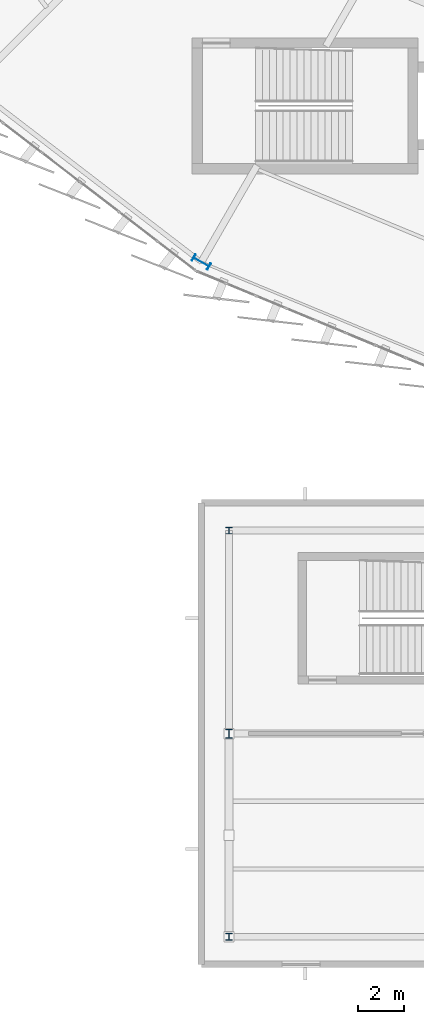
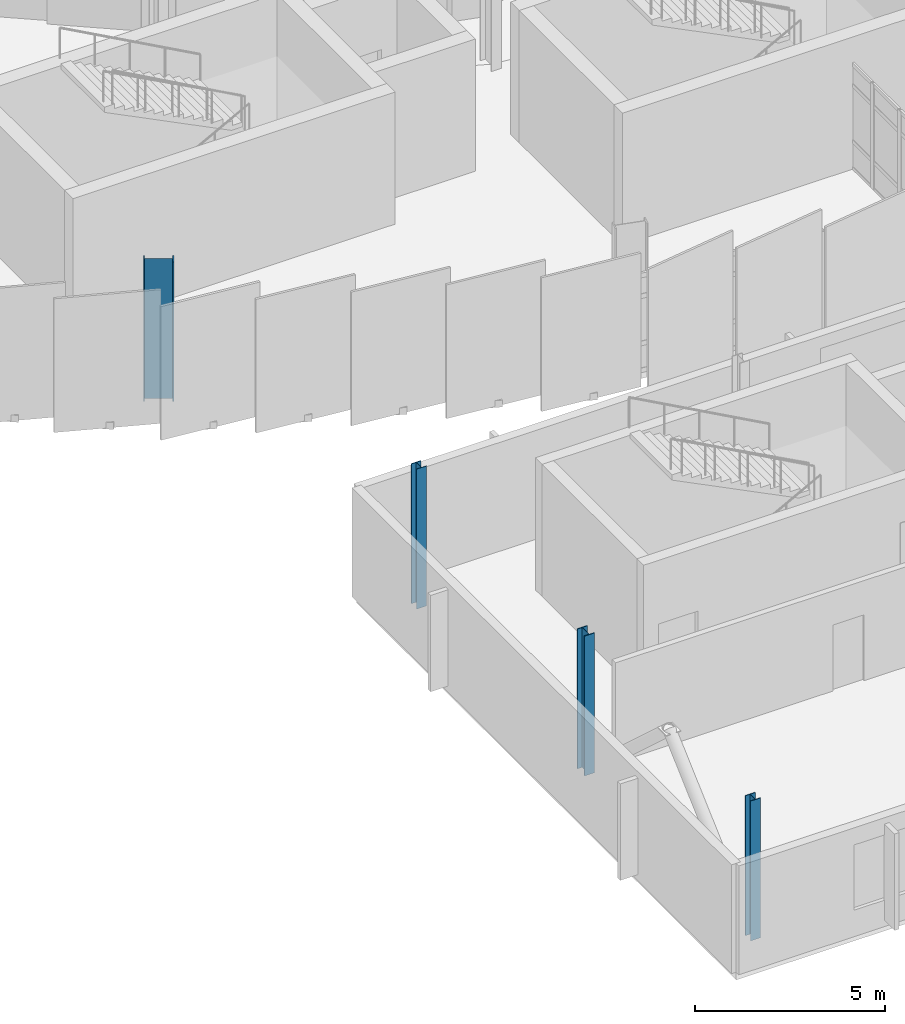
# One storey, part 1 of 125: 4 columns.
"""IFC4 building model written with IfcOpenShell, lengths in metres."""

from ifc_helpers import new_model, si_unit, direction, frame, origin, origin_2d, place, context, subcontext, project, spatial, i_section, extrude, material, material_profile, profile_set, type_object, element, save


model = new_model("IFC4")

# Units and contexts
model_context = context("Model", 3, precision=1e-05, world=origin(), true_north=direction((0.0, 1.0)))
body_context = subcontext(model_context, "Body", "Model", "MODEL_VIEW")
ifc_project = project(units=[si_unit("LENGTHUNIT", "METRE"), si_unit("AREAUNIT", "SQUARE_METRE"), si_unit("VOLUMEUNIT", "CUBIC_METRE"), si_unit("PLANEANGLEUNIT", "RADIAN"), si_unit("MASSUNIT", "GRAM", prefix="KILO")], contexts=[model_context])

# Site, building, storey
site_placement = place(None, origin())
site = spatial("IfcSite", under=ifc_project, at=site_placement, CompositionType="ELEMENT")
building_placement = place(site_placement, origin())
building = spatial("IfcBuilding", under=site, at=building_placement, Name="Sohan Crest Arena", CompositionType="ELEMENT")
storey_placement = place(building_placement, frame((0.0, 0.0, 9.0)))
storey = spatial("IfcBuildingStorey", under=building, at=storey_placement, Name="L02", CompositionType="ELEMENT", Elevation=9.0)

# Columns
ifc_material = material(Name="Steel S355", Category="steel")
ifc_material_profile_1 = material_profile(ifc_material, i_section(OverallWidth=0.300048828125, OverallDepth=0.300048828125, WebThickness=0.010986328125, FlangeThickness=0.01904296875, at=origin_2d()), Name="HEB 300")
ifc_profile_set_1 = profile_set([ifc_material_profile_1], Name="Steel S355")
column_type_1 = type_object("IfcColumnType", Name="STR-COL-C17", PredefinedType="COLUMN", material=ifc_profile_set_1)
for number, where, z_axis, x_axis, name in (
    (1, (75.199951171875, 7.199951171875, 0.0), (0.0, 0.0, 1.0), (1.0, 0.0, 0.0), "Structural column COL-V5C-01-1-L02"),
    (2, (75.199951171875, 24.800048828125, 0.0), (0.0, 0.0, 1.0), (1.0, 0.0, 0.0), "Structural column COL-V5C-01-3-L02"),
):
    element("IfcColumn", number, at=place(storey_placement, frame(where, z_axis=z_axis, x_axis=x_axis)), inside=storey, type_object=column_type_1, Name=name, PredefinedType="COLUMN", context=body_context, shape_type="SweptSolid", body=[
        extrude(i_section(OverallWidth=0.300048828125, OverallDepth=0.300048828125, WebThickness=0.010986328125, FlangeThickness=0.01904296875, at=origin_2d()), origin(), (0.0, 0.0, 1.0), 4.5),
    ])
ifc_material_profile_2 = material_profile(ifc_material, i_section(OverallWidth=0.300048828125, OverallDepth=0.39990234375, WebThickness=0.013427734375, FlangeThickness=0.02392578125, at=origin_2d()), Name="HEB 400")
ifc_profile_set_2 = profile_set([ifc_material_profile_2], Name="Steel S355")
column_type_2 = type_object("IfcColumnType", Name="STR-COL-C18", PredefinedType="COLUMN", material=ifc_profile_set_2)
column_1_placement = place(storey_placement, frame((75.199951171875, 16.0, 0.0), z_axis=(0.0, 0.0, 1.0), x_axis=(1.0, 0.0, 0.0)))
element("IfcColumn", 3, at=column_1_placement, inside=storey, type_object=column_type_2, Name="Structural column COL-V5C-01-2-L02", PredefinedType="COLUMN", context=body_context, shape_type="SweptSolid", body=[
    extrude(i_section(OverallWidth=0.300048828125, OverallDepth=0.39990234375, WebThickness=0.013427734375, FlangeThickness=0.02392578125, at=origin_2d()), origin(), (0.0, 0.0, 1.0), 4.5),
])
ifc_material_profile_3 = material_profile(ifc_material, i_section(OverallWidth=0.300048828125, OverallDepth=0.800048828125, WebThickness=0.017578125, FlangeThickness=0.032958984375, at=origin_2d()), Name="HEB 800")
ifc_profile_set_3 = profile_set([ifc_material_profile_3], Name="Steel S355")
column_type_3 = type_object("IfcColumnType", Name="STR-COL-C22", PredefinedType="COLUMN", material=ifc_profile_set_3)
column_2_placement = place(storey_placement, frame((74.0, 36.430908203125, 0.0), z_axis=(0.0, 0.0, 1.0), x_axis=(0.5, 0.866025403784, 0.0)))
element("IfcColumn", 4, at=column_2_placement, inside=storey, type_object=column_type_3, Name="Structural column COL-V2O-11-L02", PredefinedType="COLUMN", context=body_context, shape_type="SweptSolid", body=[
    extrude(i_section(OverallWidth=0.300048828125, OverallDepth=0.800048828125, WebThickness=0.017578125, FlangeThickness=0.032958984375, at=origin_2d()), origin(), (0.0, 0.0, 1.0), 4.5),
])

save(model, "model.ifc")
